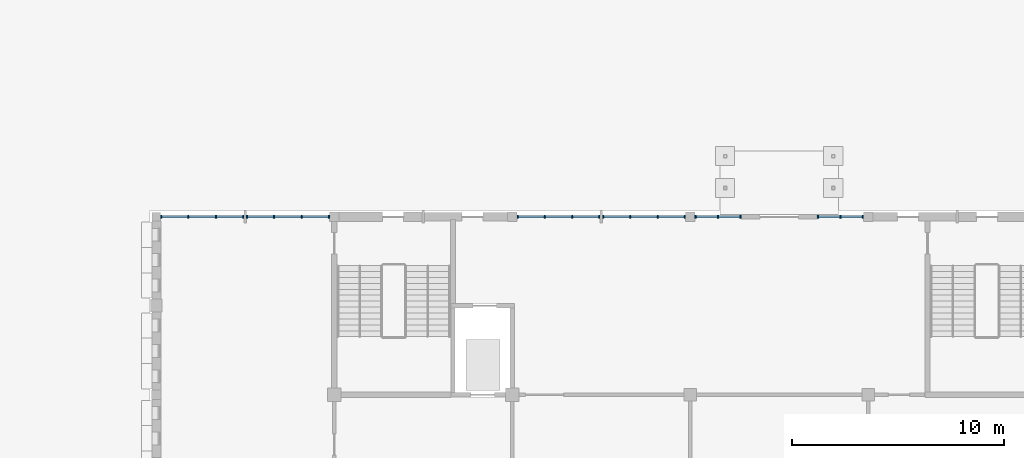
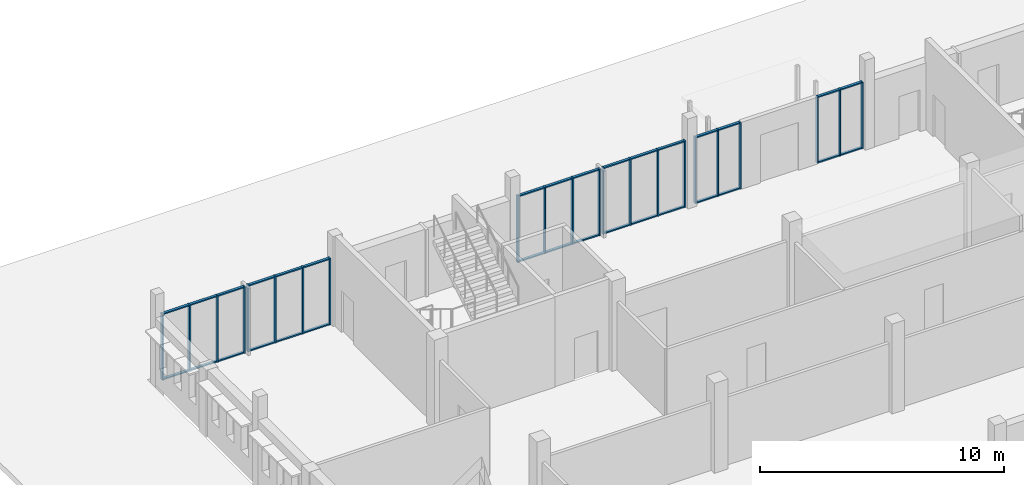
# One storey, part 51 of 101: 54 members, 6 elements without a shape of their own.
"""IFC4 building model written with IfcOpenShell, lengths in metres."""

from ifc_helpers import new_model, si_unit, direction, frame, origin, origin_2d, place, context, subcontext, project, spatial, rectangle, extrude, material, material_profile, profile_set, type_object, element, aggregate, save


model = new_model("IFC4")

# Units and contexts
model_context = context("Model", 3, precision=1e-05, world=origin(), true_north=direction((0.0, 1.0)))
body_context = subcontext(model_context, "Body", "Model", "MODEL_VIEW")
ifc_project = project(units=[si_unit("LENGTHUNIT", "METRE"), si_unit("AREAUNIT", "SQUARE_METRE"), si_unit("VOLUMEUNIT", "CUBIC_METRE"), si_unit("PLANEANGLEUNIT", "RADIAN"), si_unit("MASSUNIT", "GRAM", prefix="KILO")], contexts=[model_context])

# Site, building, storey
site_placement = place(None, origin())
site = spatial("IfcSite", under=ifc_project, at=site_placement, CompositionType="ELEMENT")
building_placement = place(site_placement, origin())
building = spatial("IfcBuilding", under=site, at=building_placement, Name="Fescue Hill Polytechnic", CompositionType="ELEMENT")
storey_placement = place(building_placement, frame((0.0, 0.0, 9.0)))
storey = spatial("IfcBuildingStorey", under=building, at=storey_placement, Name="L02", CompositionType="ELEMENT", Elevation=9.0)

# Curtain wall, members
ifc_material_1 = material(Name="Glass", Category="glass")
curtain_wall_type = type_object("IfcCurtainWallType", Name="Curtain wall structural glazing", PredefinedType="NOTDEFINED", material=ifc_material_1)
curtain_wall_1_placement = place(storey_placement, origin())
curtain_wall_1 = element("IfcCurtainWall", 1, at=curtain_wall_1_placement, inside=storey, type_object=curtain_wall_type, Name="CW-L02-V5-4", PredefinedType="NOTDEFINED")
ifc_material_2 = material(Name="Powder-coated aluminium", Category="aluminium")
ifc_material_profile_1 = material_profile(ifc_material_2, rectangle(XDim=0.159912109375, YDim=0.06005859375, at=origin_2d()), Name="Mullion aluminium 60x160")
ifc_profile_set_1 = profile_set([ifc_material_profile_1], Name="Powder-coated aluminium")
member_type_1 = type_object("IfcMemberType", Name="Mullion aluminium 60x160", PredefinedType="MULLION", material=ifc_profile_set_1)
member_1_placement = place(storey_placement, frame((33.344970703125, 134.39990234375, 0.0), z_axis=(0.0, 0.0, 1.0), x_axis=(0.0, -1.0, 0.0)))
member_1 = element("IfcMember", 2, at=member_1_placement, type_object=member_type_1, Name="CW65 mullion 1", PredefinedType="MULLION", context=body_context, shape_type="SweptSolid", body=[
    extrude(rectangle(XDim=0.159912109375, YDim=0.06005859375, at=origin_2d()), origin(), (0.0, 0.0, 1.0), 3.330078125),
])
member_2_placement = place(storey_placement, frame((32.28759765625, 134.39990234375, 0.0), z_axis=(0.0, 0.0, 1.0), x_axis=(0.0, -1.0, 0.0)))
member_2 = element("IfcMember", 3, at=member_2_placement, type_object=member_type_1, Name="CW65 mullion 2", PredefinedType="MULLION", context=body_context, shape_type="SweptSolid", body=[
    extrude(rectangle(XDim=0.159912109375, YDim=0.06005859375, at=origin_2d()), origin(), (0.0, 0.0, 1.0), 3.330078125),
])
member_3_placement = place(storey_placement, frame((31.22998046875, 134.39990234375, 0.0), z_axis=(0.0, 0.0, 1.0), x_axis=(0.0, -1.0, 0.0)))
member_3 = element("IfcMember", 4, at=member_3_placement, type_object=member_type_1, Name="CW65 mullion 3", PredefinedType="MULLION", context=body_context, shape_type="SweptSolid", body=[
    extrude(rectangle(XDim=0.159912109375, YDim=0.06005859375, at=origin_2d()), origin(), (0.0, 0.0, 1.0), 3.330078125),
])

curtain_wall_2_placement = place(storey_placement, origin())
curtain_wall_2 = element("IfcCurtainWall", 5, at=curtain_wall_2_placement, inside=storey, type_object=curtain_wall_type, Name="CW-L02-V5-5", PredefinedType="NOTDEFINED")
member_4_placement = place(storey_placement, frame((27.570068359375, 134.39990234375, 0.0), z_axis=(0.0, 0.0, 1.0), x_axis=(0.0, -1.0, 0.0)))
member_4 = element("IfcMember", 6, at=member_4_placement, type_object=member_type_1, Name="CW66 mullion 1", PredefinedType="MULLION", context=body_context, shape_type="SweptSolid", body=[
    extrude(rectangle(XDim=0.159912109375, YDim=0.06005859375, at=origin_2d()), origin(), (0.0, 0.0, 1.0), 3.330078125),
])
member_5_placement = place(storey_placement, frame((26.512451171875, 134.39990234375, 0.0), z_axis=(0.0, 0.0, 1.0), x_axis=(0.0, -1.0, 0.0)))
member_5 = element("IfcMember", 7, at=member_5_placement, type_object=member_type_1, Name="CW66 mullion 2", PredefinedType="MULLION", context=body_context, shape_type="SweptSolid", body=[
    extrude(rectangle(XDim=0.159912109375, YDim=0.06005859375, at=origin_2d()), origin(), (0.0, 0.0, 1.0), 3.330078125),
])
member_6_placement = place(storey_placement, frame((25.455078125, 134.39990234375, 0.0), z_axis=(0.0, 0.0, 1.0), x_axis=(0.0, -1.0, 0.0)))
member_6 = element("IfcMember", 8, at=member_6_placement, type_object=member_type_1, Name="CW66 mullion 3", PredefinedType="MULLION", context=body_context, shape_type="SweptSolid", body=[
    extrude(rectangle(XDim=0.159912109375, YDim=0.06005859375, at=origin_2d()), origin(), (0.0, 0.0, 1.0), 3.330078125),
])

curtain_wall_3_placement = place(storey_placement, origin())
curtain_wall_3 = element("IfcCurtainWall", 9, at=curtain_wall_3_placement, inside=storey, type_object=curtain_wall_type, Name="CW-L02-V5-6", PredefinedType="NOTDEFINED")
member_7_placement = place(storey_placement, frame((24.945068359375, 134.39990234375, 0.0), z_axis=(0.0, 0.0, 1.0), x_axis=(0.0, -1.0, 0.0)))
member_7 = element("IfcMember", 10, at=member_7_placement, type_object=member_type_1, Name="CW67 mullion 1", PredefinedType="MULLION", context=body_context, shape_type="SweptSolid", body=[
    extrude(rectangle(XDim=0.159912109375, YDim=0.06005859375, at=origin_2d()), origin(), (0.0, 0.0, 1.0), 3.330078125),
])
member_8_placement = place(storey_placement, frame((23.669921875, 134.39990234375, 0.0), z_axis=(0.0, 0.0, 1.0), x_axis=(0.0, -1.0, 0.0)))
member_8 = element("IfcMember", 11, at=member_8_placement, type_object=member_type_1, Name="CW67 mullion 2", PredefinedType="MULLION", context=body_context, shape_type="SweptSolid", body=[
    extrude(rectangle(XDim=0.159912109375, YDim=0.06005859375, at=origin_2d()), origin(), (0.0, 0.0, 1.0), 3.330078125),
])
member_9_placement = place(storey_placement, frame((22.364990234375, 134.39990234375, 0.0), z_axis=(0.0, 0.0, 1.0), x_axis=(0.0, -1.0, 0.0)))
member_9 = element("IfcMember", 12, at=member_9_placement, type_object=member_type_1, Name="CW67 mullion 3", PredefinedType="MULLION", context=body_context, shape_type="SweptSolid", body=[
    extrude(rectangle(XDim=0.159912109375, YDim=0.06005859375, at=origin_2d()), origin(), (0.0, 0.0, 1.0), 3.330078125),
])
member_10_placement = place(storey_placement, frame((21.090087890625, 134.39990234375, 0.0), z_axis=(0.0, 0.0, 1.0), x_axis=(0.0, -1.0, 0.0)))
member_10 = element("IfcMember", 13, at=member_10_placement, type_object=member_type_1, Name="CW67 mullion 4", PredefinedType="MULLION", context=body_context, shape_type="SweptSolid", body=[
    extrude(rectangle(XDim=0.159912109375, YDim=0.06005859375, at=origin_2d()), origin(), (0.0, 0.0, 1.0), 3.330078125),
])

curtain_wall_4_placement = place(storey_placement, origin())
curtain_wall_4 = element("IfcCurtainWall", 14, at=curtain_wall_4_placement, inside=storey, type_object=curtain_wall_type, Name="CW-L02-V5-7", PredefinedType="NOTDEFINED")
member_11_placement = place(storey_placement, frame((20.909912109375, 134.39990234375, 0.0), z_axis=(0.0, 0.0, 1.0), x_axis=(0.0, -1.0, 0.0)))
member_11 = element("IfcMember", 15, at=member_11_placement, type_object=member_type_1, Name="CW68 mullion 1", PredefinedType="MULLION", context=body_context, shape_type="SweptSolid", body=[
    extrude(rectangle(XDim=0.159912109375, YDim=0.06005859375, at=origin_2d()), origin(), (0.0, 0.0, 1.0), 3.330078125),
])
member_12_placement = place(storey_placement, frame((19.635009765625, 134.39990234375, 0.0), z_axis=(0.0, 0.0, 1.0), x_axis=(0.0, -1.0, 0.0)))
member_12 = element("IfcMember", 16, at=member_12_placement, type_object=member_type_1, Name="CW68 mullion 2", PredefinedType="MULLION", context=body_context, shape_type="SweptSolid", body=[
    extrude(rectangle(XDim=0.159912109375, YDim=0.06005859375, at=origin_2d()), origin(), (0.0, 0.0, 1.0), 3.330078125),
])
member_13_placement = place(storey_placement, frame((18.330078125, 134.39990234375, 0.0), z_axis=(0.0, 0.0, 1.0), x_axis=(0.0, -1.0, 0.0)))
member_13 = element("IfcMember", 17, at=member_13_placement, type_object=member_type_1, Name="CW68 mullion 3", PredefinedType="MULLION", context=body_context, shape_type="SweptSolid", body=[
    extrude(rectangle(XDim=0.159912109375, YDim=0.06005859375, at=origin_2d()), origin(), (0.0, 0.0, 1.0), 3.330078125),
])
member_14_placement = place(storey_placement, frame((17.054931640625, 134.39990234375, 0.0), z_axis=(0.0, 0.0, 1.0), x_axis=(0.0, -1.0, 0.0)))
member_14 = element("IfcMember", 18, at=member_14_placement, type_object=member_type_1, Name="CW68 mullion 4", PredefinedType="MULLION", context=body_context, shape_type="SweptSolid", body=[
    extrude(rectangle(XDim=0.159912109375, YDim=0.06005859375, at=origin_2d()), origin(), (0.0, 0.0, 1.0), 3.330078125),
])

curtain_wall_5_placement = place(storey_placement, origin())
curtain_wall_5 = element("IfcCurtainWall", 19, at=curtain_wall_5_placement, inside=storey, type_object=curtain_wall_type, Name="CW-L02-V5-8", PredefinedType="NOTDEFINED")
member_15_placement = place(storey_placement, frame((4.097412109375, 134.39990234375, 0.0), z_axis=(0.0, 0.0, 1.0), x_axis=(0.0, -1.0, 0.0)))
member_15 = element("IfcMember", 20, at=member_15_placement, type_object=member_type_1, Name="CW69 mullion 1", PredefinedType="MULLION", context=body_context, shape_type="SweptSolid", body=[
    extrude(rectangle(XDim=0.159912109375, YDim=0.06005859375, at=origin_2d()), origin(), (0.0, 0.0, 1.0), 3.330078125),
])
member_16_placement = place(storey_placement, frame((2.818359375, 134.39990234375, 0.0), z_axis=(0.0, 0.0, 1.0), x_axis=(0.0, -1.0, 0.0)))
member_16 = element("IfcMember", 21, at=member_16_placement, type_object=member_type_1, Name="CW69 mullion 2", PredefinedType="MULLION", context=body_context, shape_type="SweptSolid", body=[
    extrude(rectangle(XDim=0.159912109375, YDim=0.06005859375, at=origin_2d()), origin(), (0.0, 0.0, 1.0), 3.330078125),
])
member_17_placement = place(storey_placement, frame((1.50927734375, 134.39990234375, 0.0), z_axis=(0.0, 0.0, 1.0), x_axis=(0.0, -1.0, 0.0)))
member_17 = element("IfcMember", 22, at=member_17_placement, type_object=member_type_1, Name="CW69 mullion 3", PredefinedType="MULLION", context=body_context, shape_type="SweptSolid", body=[
    extrude(rectangle(XDim=0.159912109375, YDim=0.06005859375, at=origin_2d()), origin(), (0.0, 0.0, 1.0), 3.330078125),
])
member_18_placement = place(storey_placement, frame((0.22998046875, 134.39990234375, 0.0), z_axis=(0.0, 0.0, 1.0), x_axis=(0.0, -1.0, 0.0)))
member_18 = element("IfcMember", 23, at=member_18_placement, type_object=member_type_1, Name="CW69 mullion 4", PredefinedType="MULLION", context=body_context, shape_type="SweptSolid", body=[
    extrude(rectangle(XDim=0.159912109375, YDim=0.06005859375, at=origin_2d()), origin(), (0.0, 0.0, 1.0), 3.330078125),
])

curtain_wall_6_placement = place(storey_placement, origin())
curtain_wall_6 = element("IfcCurtainWall", 24, at=curtain_wall_6_placement, inside=storey, type_object=curtain_wall_type, Name="CW-L02-V5-X2", PredefinedType="NOTDEFINED")
member_19_placement = place(storey_placement, frame((8.14501953125, 134.39990234375, 0.0), z_axis=(0.0, 0.0, 1.0), x_axis=(0.0, -1.0, 0.0)))
member_19 = element("IfcMember", 25, at=member_19_placement, type_object=member_type_1, Name="CW157 mullion 1", PredefinedType="MULLION", context=body_context, shape_type="SweptSolid", body=[
    extrude(rectangle(XDim=0.159912109375, YDim=0.06005859375, at=origin_2d()), origin(), (0.0, 0.0, 1.0), 3.330078125),
])
member_20_placement = place(storey_placement, frame((6.86572265625, 134.39990234375, 0.0), z_axis=(0.0, 0.0, 1.0), x_axis=(0.0, -1.0, 0.0)))
member_20 = element("IfcMember", 26, at=member_20_placement, type_object=member_type_1, Name="CW157 mullion 2", PredefinedType="MULLION", context=body_context, shape_type="SweptSolid", body=[
    extrude(rectangle(XDim=0.159912109375, YDim=0.06005859375, at=origin_2d()), origin(), (0.0, 0.0, 1.0), 3.330078125),
])
member_21_placement = place(storey_placement, frame((5.556640625, 134.39990234375, 0.0), z_axis=(0.0, 0.0, 1.0), x_axis=(0.0, -1.0, 0.0)))
member_21 = element("IfcMember", 27, at=member_21_placement, type_object=member_type_1, Name="CW157 mullion 3", PredefinedType="MULLION", context=body_context, shape_type="SweptSolid", body=[
    extrude(rectangle(XDim=0.159912109375, YDim=0.06005859375, at=origin_2d()), origin(), (0.0, 0.0, 1.0), 3.330078125),
])
member_22_placement = place(storey_placement, frame((4.277587890625, 134.39990234375, 0.0), z_axis=(0.0, 0.0, 1.0), x_axis=(0.0, -1.0, 0.0)))
member_22 = element("IfcMember", 28, at=member_22_placement, type_object=member_type_1, Name="CW157 mullion 4", PredefinedType="MULLION", context=body_context, shape_type="SweptSolid", body=[
    extrude(rectangle(XDim=0.159912109375, YDim=0.06005859375, at=origin_2d()), origin(), (0.0, 0.0, 1.0), 3.330078125),
])

# Member
ifc_material_profile_2 = material_profile(ifc_material_2, rectangle(XDim=0.1201171875, YDim=0.06005859375, at=origin_2d()), Name="Transom aluminium 60x120")
ifc_profile_set_2 = profile_set([ifc_material_profile_2], Name="Powder-coated aluminium")
member_type_2 = type_object("IfcMemberType", Name="Transom aluminium 60x120", PredefinedType="USERDEFINED", material=ifc_profile_set_2)
member_23_placement = place(storey_placement, frame((33.31494140625, 134.39990234375, 0.030029296875), z_axis=(-1.0, 0.0, 0.0), x_axis=(0.0, -1.0, 0.0)))
member_23 = element("IfcMember", 29, at=member_23_placement, type_object=member_type_2, Name="CW65 transom 1.1", ObjectType="TRANSOM", PredefinedType="USERDEFINED", context=body_context, shape_type="SweptSolid", body=[
    extrude(rectangle(XDim=0.1201171875, YDim=0.06005859375, at=origin_2d()), origin(), (0.0, 0.0, 1.0), 0.99755859375),
])

member_24_placement = place(storey_placement, frame((33.31494140625, 134.39990234375, 3.300048828125), z_axis=(-1.0, 0.0, 0.0), x_axis=(0.0, -1.0, 0.0)))
member_24 = element("IfcMember", 30, at=member_24_placement, type_object=member_type_2, Name="CW65 transom 1.2", ObjectType="TRANSOM", PredefinedType="USERDEFINED", context=body_context, shape_type="SweptSolid", body=[
    extrude(rectangle(XDim=0.1201171875, YDim=0.06005859375, at=origin_2d()), origin(), (0.0, 0.0, 1.0), 0.99755859375),
])

member_25_placement = place(storey_placement, frame((32.257568359375, 134.39990234375, 0.030029296875), z_axis=(-1.0, 0.0, 0.0), x_axis=(0.0, -1.0, 0.0)))
member_25 = element("IfcMember", 31, at=member_25_placement, type_object=member_type_2, Name="CW65 transom 2.1", ObjectType="TRANSOM", PredefinedType="USERDEFINED", context=body_context, shape_type="SweptSolid", body=[
    extrude(rectangle(XDim=0.1201171875, YDim=0.06005859375, at=origin_2d()), origin(), (0.0, 0.0, 1.0), 0.99755859375),
])

member_26_placement = place(storey_placement, frame((32.257568359375, 134.39990234375, 3.300048828125), z_axis=(-1.0, 0.0, 0.0), x_axis=(0.0, -1.0, 0.0)))
member_26 = element("IfcMember", 32, at=member_26_placement, type_object=member_type_2, Name="CW65 transom 2.2", ObjectType="TRANSOM", PredefinedType="USERDEFINED", context=body_context, shape_type="SweptSolid", body=[
    extrude(rectangle(XDim=0.1201171875, YDim=0.06005859375, at=origin_2d()), origin(), (0.0, 0.0, 1.0), 0.99755859375),
])

aggregate(curtain_wall_1, [member_1, member_2, member_3, member_23, member_24, member_25, member_26])

member_27_placement = place(storey_placement, frame((27.5400390625, 134.39990234375, 0.030029296875), z_axis=(-1.0, 0.0, 0.0), x_axis=(0.0, -1.0, 0.0)))
member_27 = element("IfcMember", 33, at=member_27_placement, type_object=member_type_2, Name="CW66 transom 1.1", ObjectType="TRANSOM", PredefinedType="USERDEFINED", context=body_context, shape_type="SweptSolid", body=[
    extrude(rectangle(XDim=0.1201171875, YDim=0.06005859375, at=origin_2d()), origin(), (0.0, 0.0, 1.0), 0.99755859375),
])

member_28_placement = place(storey_placement, frame((27.5400390625, 134.39990234375, 3.300048828125), z_axis=(-1.0, 0.0, 0.0), x_axis=(0.0, -1.0, 0.0)))
member_28 = element("IfcMember", 34, at=member_28_placement, type_object=member_type_2, Name="CW66 transom 1.2", ObjectType="TRANSOM", PredefinedType="USERDEFINED", context=body_context, shape_type="SweptSolid", body=[
    extrude(rectangle(XDim=0.1201171875, YDim=0.06005859375, at=origin_2d()), origin(), (0.0, 0.0, 1.0), 0.99755859375),
])

member_29_placement = place(storey_placement, frame((26.482421875, 134.39990234375, 0.030029296875), z_axis=(-1.0, 0.0, 0.0), x_axis=(0.0, -1.0, 0.0)))
member_29 = element("IfcMember", 35, at=member_29_placement, type_object=member_type_2, Name="CW66 transom 2.1", ObjectType="TRANSOM", PredefinedType="USERDEFINED", context=body_context, shape_type="SweptSolid", body=[
    extrude(rectangle(XDim=0.1201171875, YDim=0.06005859375, at=origin_2d()), origin(), (0.0, 0.0, 1.0), 0.997314453125),
])

member_30_placement = place(storey_placement, frame((26.482421875, 134.39990234375, 3.300048828125), z_axis=(-1.0, 0.0, 0.0), x_axis=(0.0, -1.0, 0.0)))
member_30 = element("IfcMember", 36, at=member_30_placement, type_object=member_type_2, Name="CW66 transom 2.2", ObjectType="TRANSOM", PredefinedType="USERDEFINED", context=body_context, shape_type="SweptSolid", body=[
    extrude(rectangle(XDim=0.1201171875, YDim=0.06005859375, at=origin_2d()), origin(), (0.0, 0.0, 1.0), 0.997314453125),
])

aggregate(curtain_wall_2, [member_4, member_5, member_6, member_27, member_28, member_29, member_30])

member_31_placement = place(storey_placement, frame((24.9150390625, 134.39990234375, 0.030029296875), z_axis=(-1.0, 0.0, 0.0), x_axis=(0.0, -1.0, 0.0)))
member_31 = element("IfcMember", 37, at=member_31_placement, type_object=member_type_2, Name="CW67 transom 1.1", ObjectType="TRANSOM", PredefinedType="USERDEFINED", context=body_context, shape_type="SweptSolid", body=[
    extrude(rectangle(XDim=0.1201171875, YDim=0.06005859375, at=origin_2d()), origin(), (0.0, 0.0, 1.0), 1.215087890625),
])

member_32_placement = place(storey_placement, frame((24.9150390625, 134.39990234375, 3.300048828125), z_axis=(-1.0, 0.0, 0.0), x_axis=(0.0, -1.0, 0.0)))
member_32 = element("IfcMember", 38, at=member_32_placement, type_object=member_type_2, Name="CW67 transom 1.2", ObjectType="TRANSOM", PredefinedType="USERDEFINED", context=body_context, shape_type="SweptSolid", body=[
    extrude(rectangle(XDim=0.1201171875, YDim=0.06005859375, at=origin_2d()), origin(), (0.0, 0.0, 1.0), 1.215087890625),
])

member_33_placement = place(storey_placement, frame((23.639892578125, 134.39990234375, 0.030029296875), z_axis=(-1.0, 0.0, 0.0), x_axis=(0.0, -1.0, 0.0)))
member_33 = element("IfcMember", 39, at=member_33_placement, type_object=member_type_2, Name="CW67 transom 2.1", ObjectType="TRANSOM", PredefinedType="USERDEFINED", context=body_context, shape_type="SweptSolid", body=[
    extrude(rectangle(XDim=0.1201171875, YDim=0.06005859375, at=origin_2d()), origin(), (0.0, 0.0, 1.0), 1.244873046875),
])

member_34_placement = place(storey_placement, frame((23.639892578125, 134.39990234375, 3.300048828125), z_axis=(-1.0, 0.0, 0.0), x_axis=(0.0, -1.0, 0.0)))
member_34 = element("IfcMember", 40, at=member_34_placement, type_object=member_type_2, Name="CW67 transom 2.2", ObjectType="TRANSOM", PredefinedType="USERDEFINED", context=body_context, shape_type="SweptSolid", body=[
    extrude(rectangle(XDim=0.1201171875, YDim=0.06005859375, at=origin_2d()), origin(), (0.0, 0.0, 1.0), 1.244873046875),
])

member_35_placement = place(storey_placement, frame((22.3349609375, 134.39990234375, 0.030029296875), z_axis=(-1.0, 0.0, 0.0), x_axis=(0.0, -1.0, 0.0)))
member_35 = element("IfcMember", 41, at=member_35_placement, type_object=member_type_2, Name="CW67 transom 3.1", ObjectType="TRANSOM", PredefinedType="USERDEFINED", context=body_context, shape_type="SweptSolid", body=[
    extrude(rectangle(XDim=0.1201171875, YDim=0.06005859375, at=origin_2d()), origin(), (0.0, 0.0, 1.0), 1.21484375),
])

member_36_placement = place(storey_placement, frame((22.3349609375, 134.39990234375, 3.300048828125), z_axis=(-1.0, 0.0, 0.0), x_axis=(0.0, -1.0, 0.0)))
member_36 = element("IfcMember", 42, at=member_36_placement, type_object=member_type_2, Name="CW67 transom 3.2", ObjectType="TRANSOM", PredefinedType="USERDEFINED", context=body_context, shape_type="SweptSolid", body=[
    extrude(rectangle(XDim=0.1201171875, YDim=0.06005859375, at=origin_2d()), origin(), (0.0, 0.0, 1.0), 1.21484375),
])

aggregate(curtain_wall_3, [member_7, member_8, member_9, member_10, member_31, member_32, member_33, member_34, member_35, member_36])

member_37_placement = place(storey_placement, frame((20.8798828125, 134.39990234375, 0.030029296875), z_axis=(-1.0, 0.0, 0.0), x_axis=(0.0, -1.0, 0.0)))
member_37 = element("IfcMember", 43, at=member_37_placement, type_object=member_type_2, Name="CW68 transom 1.1", ObjectType="TRANSOM", PredefinedType="USERDEFINED", context=body_context, shape_type="SweptSolid", body=[
    extrude(rectangle(XDim=0.1201171875, YDim=0.06005859375, at=origin_2d()), origin(), (0.0, 0.0, 1.0), 1.21484375),
])

member_38_placement = place(storey_placement, frame((20.8798828125, 134.39990234375, 3.300048828125), z_axis=(-1.0, 0.0, 0.0), x_axis=(0.0, -1.0, 0.0)))
member_38 = element("IfcMember", 44, at=member_38_placement, type_object=member_type_2, Name="CW68 transom 1.2", ObjectType="TRANSOM", PredefinedType="USERDEFINED", context=body_context, shape_type="SweptSolid", body=[
    extrude(rectangle(XDim=0.1201171875, YDim=0.06005859375, at=origin_2d()), origin(), (0.0, 0.0, 1.0), 1.21484375),
])

member_39_placement = place(storey_placement, frame((19.60498046875, 134.39990234375, 0.030029296875), z_axis=(-1.0, 0.0, 0.0), x_axis=(0.0, -1.0, 0.0)))
member_39 = element("IfcMember", 45, at=member_39_placement, type_object=member_type_2, Name="CW68 transom 2.1", ObjectType="TRANSOM", PredefinedType="USERDEFINED", context=body_context, shape_type="SweptSolid", body=[
    extrude(rectangle(XDim=0.1201171875, YDim=0.06005859375, at=origin_2d()), origin(), (0.0, 0.0, 1.0), 1.244873046875),
])

member_40_placement = place(storey_placement, frame((19.60498046875, 134.39990234375, 3.300048828125), z_axis=(-1.0, 0.0, 0.0), x_axis=(0.0, -1.0, 0.0)))
member_40 = element("IfcMember", 46, at=member_40_placement, type_object=member_type_2, Name="CW68 transom 2.2", ObjectType="TRANSOM", PredefinedType="USERDEFINED", context=body_context, shape_type="SweptSolid", body=[
    extrude(rectangle(XDim=0.1201171875, YDim=0.06005859375, at=origin_2d()), origin(), (0.0, 0.0, 1.0), 1.244873046875),
])

member_41_placement = place(storey_placement, frame((18.300048828125, 134.39990234375, 0.030029296875), z_axis=(-1.0, 0.0, 0.0), x_axis=(0.0, -1.0, 0.0)))
member_41 = element("IfcMember", 47, at=member_41_placement, type_object=member_type_2, Name="CW68 transom 3.1", ObjectType="TRANSOM", PredefinedType="USERDEFINED", context=body_context, shape_type="SweptSolid", body=[
    extrude(rectangle(XDim=0.1201171875, YDim=0.06005859375, at=origin_2d()), origin(), (0.0, 0.0, 1.0), 1.215087890625),
])

member_42_placement = place(storey_placement, frame((18.300048828125, 134.39990234375, 3.300048828125), z_axis=(-1.0, 0.0, 0.0), x_axis=(0.0, -1.0, 0.0)))
member_42 = element("IfcMember", 48, at=member_42_placement, type_object=member_type_2, Name="CW68 transom 3.2", ObjectType="TRANSOM", PredefinedType="USERDEFINED", context=body_context, shape_type="SweptSolid", body=[
    extrude(rectangle(XDim=0.1201171875, YDim=0.06005859375, at=origin_2d()), origin(), (0.0, 0.0, 1.0), 1.215087890625),
])

aggregate(curtain_wall_4, [member_11, member_12, member_13, member_14, member_37, member_38, member_39, member_40, member_41, member_42])

member_43_placement = place(storey_placement, frame((4.0673828125, 134.39990234375, 0.030029296875), z_axis=(-1.0, 0.0, 0.0), x_axis=(0.0, -1.0, 0.0)))
member_43 = element("IfcMember", 49, at=member_43_placement, type_object=member_type_2, Name="CW69 transom 1.1", ObjectType="TRANSOM", PredefinedType="USERDEFINED", context=body_context, shape_type="SweptSolid", body=[
    extrude(rectangle(XDim=0.1201171875, YDim=0.06005859375, at=origin_2d()), origin(), (0.0, 0.0, 1.0), 1.218994140625),
])

member_44_placement = place(storey_placement, frame((4.0673828125, 134.39990234375, 3.300048828125), z_axis=(-1.0, 0.0, 0.0), x_axis=(0.0, -1.0, 0.0)))
member_44 = element("IfcMember", 50, at=member_44_placement, type_object=member_type_2, Name="CW69 transom 1.2", ObjectType="TRANSOM", PredefinedType="USERDEFINED", context=body_context, shape_type="SweptSolid", body=[
    extrude(rectangle(XDim=0.1201171875, YDim=0.06005859375, at=origin_2d()), origin(), (0.0, 0.0, 1.0), 1.218994140625),
])

member_45_placement = place(storey_placement, frame((2.788330078125, 134.39990234375, 0.030029296875), z_axis=(-1.0, 0.0, 0.0), x_axis=(0.0, -1.0, 0.0)))
member_45 = element("IfcMember", 51, at=member_45_placement, type_object=member_type_2, Name="CW69 transom 2.1", ObjectType="TRANSOM", PredefinedType="USERDEFINED", context=body_context, shape_type="SweptSolid", body=[
    extrude(rectangle(XDim=0.1201171875, YDim=0.06005859375, at=origin_2d()), origin(), (0.0, 0.0, 1.0), 1.249267578125),
])

member_46_placement = place(storey_placement, frame((2.788330078125, 134.39990234375, 3.300048828125), z_axis=(-1.0, 0.0, 0.0), x_axis=(0.0, -1.0, 0.0)))
member_46 = element("IfcMember", 52, at=member_46_placement, type_object=member_type_2, Name="CW69 transom 2.2", ObjectType="TRANSOM", PredefinedType="USERDEFINED", context=body_context, shape_type="SweptSolid", body=[
    extrude(rectangle(XDim=0.1201171875, YDim=0.06005859375, at=origin_2d()), origin(), (0.0, 0.0, 1.0), 1.249267578125),
])

member_47_placement = place(storey_placement, frame((1.479248046875, 134.39990234375, 0.030029296875), z_axis=(-1.0, 0.0, 0.0), x_axis=(0.0, -1.0, 0.0)))
member_47 = element("IfcMember", 53, at=member_47_placement, type_object=member_type_2, Name="CW69 transom 3.1", ObjectType="TRANSOM", PredefinedType="USERDEFINED", context=body_context, shape_type="SweptSolid", body=[
    extrude(rectangle(XDim=0.1201171875, YDim=0.06005859375, at=origin_2d()), origin(), (0.0, 0.0, 1.0), 1.21923828125),
])

member_48_placement = place(storey_placement, frame((1.479248046875, 134.39990234375, 3.300048828125), z_axis=(-1.0, 0.0, 0.0), x_axis=(0.0, -1.0, 0.0)))
member_48 = element("IfcMember", 54, at=member_48_placement, type_object=member_type_2, Name="CW69 transom 3.2", ObjectType="TRANSOM", PredefinedType="USERDEFINED", context=body_context, shape_type="SweptSolid", body=[
    extrude(rectangle(XDim=0.1201171875, YDim=0.06005859375, at=origin_2d()), origin(), (0.0, 0.0, 1.0), 1.21923828125),
])

aggregate(curtain_wall_5, [member_15, member_16, member_17, member_18, member_43, member_44, member_45, member_46, member_47, member_48])

member_49_placement = place(storey_placement, frame((8.114990234375, 134.39990234375, 0.030029296875), z_axis=(-1.0, 0.0, 0.0), x_axis=(0.0, -1.0, 0.0)))
member_49 = element("IfcMember", 55, at=member_49_placement, type_object=member_type_2, Name="CW157 transom 1.1", ObjectType="TRANSOM", PredefinedType="USERDEFINED", context=body_context, shape_type="SweptSolid", body=[
    extrude(rectangle(XDim=0.1201171875, YDim=0.06005859375, at=origin_2d()), origin(), (0.0, 0.0, 1.0), 1.21923828125),
])

member_50_placement = place(storey_placement, frame((8.114990234375, 134.39990234375, 3.300048828125), z_axis=(-1.0, 0.0, 0.0), x_axis=(0.0, -1.0, 0.0)))
member_50 = element("IfcMember", 56, at=member_50_placement, type_object=member_type_2, Name="CW157 transom 1.2", ObjectType="TRANSOM", PredefinedType="USERDEFINED", context=body_context, shape_type="SweptSolid", body=[
    extrude(rectangle(XDim=0.1201171875, YDim=0.06005859375, at=origin_2d()), origin(), (0.0, 0.0, 1.0), 1.21923828125),
])

member_51_placement = place(storey_placement, frame((6.8359375, 134.39990234375, 0.030029296875), z_axis=(-1.0, 0.0, 0.0), x_axis=(0.0, -1.0, 0.0)))
member_51 = element("IfcMember", 57, at=member_51_placement, type_object=member_type_2, Name="CW157 transom 2.1", ObjectType="TRANSOM", PredefinedType="USERDEFINED", context=body_context, shape_type="SweptSolid", body=[
    extrude(rectangle(XDim=0.1201171875, YDim=0.06005859375, at=origin_2d()), origin(), (0.0, 0.0, 1.0), 1.249267578125),
])

member_52_placement = place(storey_placement, frame((6.8359375, 134.39990234375, 3.300048828125), z_axis=(-1.0, 0.0, 0.0), x_axis=(0.0, -1.0, 0.0)))
member_52 = element("IfcMember", 58, at=member_52_placement, type_object=member_type_2, Name="CW157 transom 2.2", ObjectType="TRANSOM", PredefinedType="USERDEFINED", context=body_context, shape_type="SweptSolid", body=[
    extrude(rectangle(XDim=0.1201171875, YDim=0.06005859375, at=origin_2d()), origin(), (0.0, 0.0, 1.0), 1.249267578125),
])

member_53_placement = place(storey_placement, frame((5.526611328125, 134.39990234375, 0.030029296875), z_axis=(-1.0, 0.0, 0.0), x_axis=(0.0, -1.0, 0.0)))
member_53 = element("IfcMember", 59, at=member_53_placement, type_object=member_type_2, Name="CW157 transom 3.1", ObjectType="TRANSOM", PredefinedType="USERDEFINED", context=body_context, shape_type="SweptSolid", body=[
    extrude(rectangle(XDim=0.1201171875, YDim=0.06005859375, at=origin_2d()), origin(), (0.0, 0.0, 1.0), 1.218994140625),
])

member_54_placement = place(storey_placement, frame((5.526611328125, 134.39990234375, 3.300048828125), z_axis=(-1.0, 0.0, 0.0), x_axis=(0.0, -1.0, 0.0)))
member_54 = element("IfcMember", 60, at=member_54_placement, type_object=member_type_2, Name="CW157 transom 3.2", ObjectType="TRANSOM", PredefinedType="USERDEFINED", context=body_context, shape_type="SweptSolid", body=[
    extrude(rectangle(XDim=0.1201171875, YDim=0.06005859375, at=origin_2d()), origin(), (0.0, 0.0, 1.0), 1.218994140625),
])

aggregate(curtain_wall_6, [member_19, member_20, member_21, member_22, member_49, member_50, member_51, member_52, member_53, member_54])

save(model, "model.ifc")
